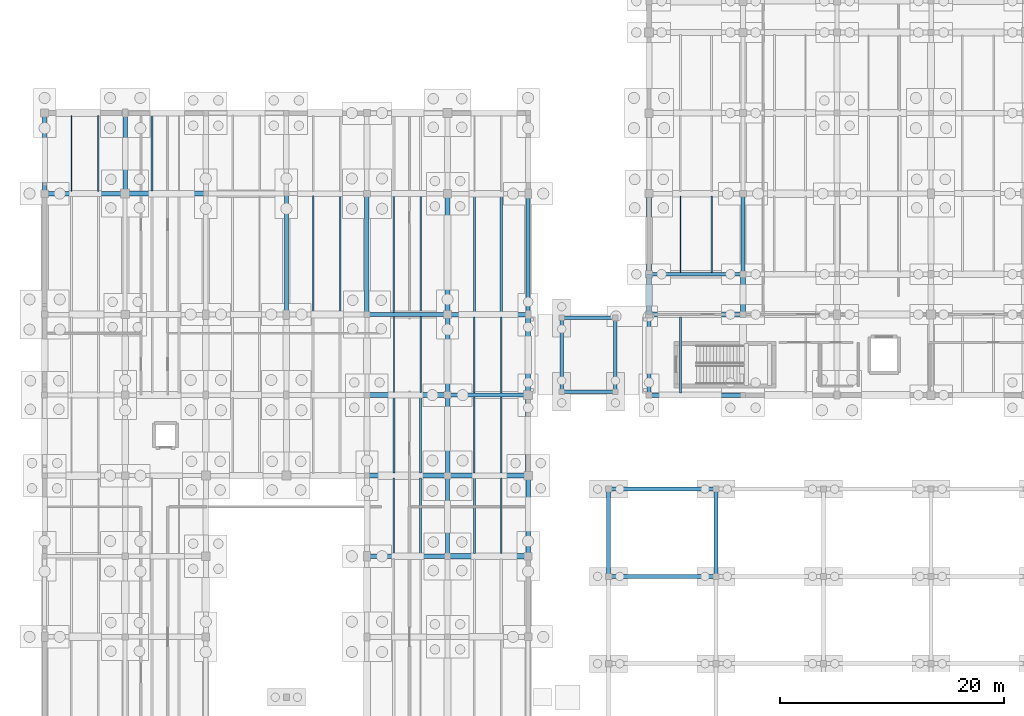
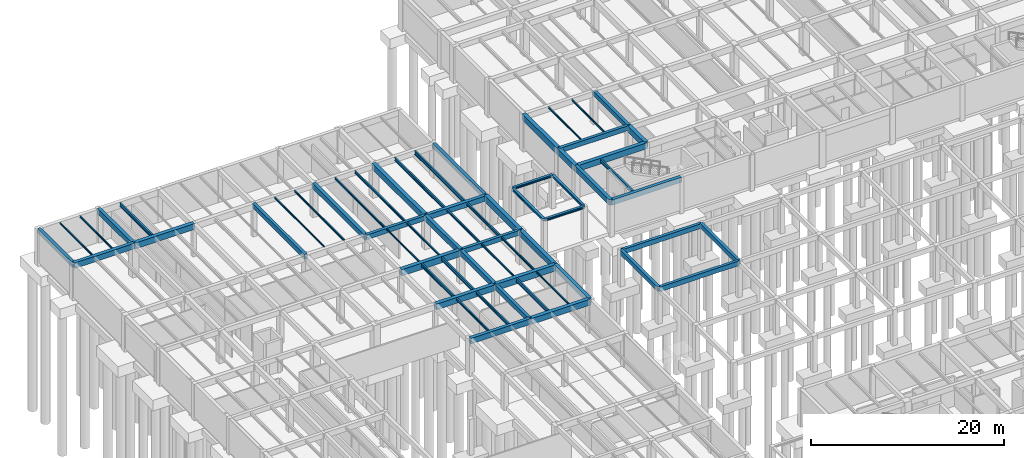
# One storey, part 29 of 63: 62 beams.
"""IFC4 building model written with IfcOpenShell, lengths in metres."""

from ifc_helpers import new_model, si_unit, direction, frame, origin, origin_2d, place, context, subcontext, project, spatial, rectangle, i_section, extrude, material, material_profile, profile_set, type_object, element, save


model = new_model("IFC4")

# Units and contexts
model_context = context("Model", 3, precision=1e-05, world=origin(), true_north=direction((0.0, 1.0)))
body_context = subcontext(model_context, "Body", "Model", "MODEL_VIEW")
ifc_project = project(units=[si_unit("LENGTHUNIT", "METRE"), si_unit("AREAUNIT", "SQUARE_METRE"), si_unit("VOLUMEUNIT", "CUBIC_METRE"), si_unit("PLANEANGLEUNIT", "RADIAN"), si_unit("MASSUNIT", "GRAM", prefix="KILO")], contexts=[model_context])

# Site, building, storey
site_placement = place(None, origin())
site = spatial("IfcSite", under=ifc_project, at=site_placement, CompositionType="ELEMENT")
building_placement = place(site_placement, origin())
building = spatial("IfcBuilding", under=site, at=building_placement, Name="Mazaris Harbour Polytechnic", CompositionType="ELEMENT")
storey_placement = place(building_placement, frame((0.0, 0.0, -4.5)))
storey = spatial("IfcBuildingStorey", under=building, at=storey_placement, Name="B1", CompositionType="ELEMENT", Elevation=-4.5)

# Beams
ifc_material_1 = material(Name="Concrete C35/45", Category="concrete")
ifc_material_profile_1 = material_profile(ifc_material_1, rectangle(XDim=0.35009765625, YDim=0.60009765625, at=origin_2d()), Name="RECT350x600")
ifc_profile_set_1 = profile_set([ifc_material_profile_1], Name="Concrete C35/45")
beam_type_1 = type_object("IfcBeamType", Name="RC Girder 350x600", PredefinedType="BEAM", material=ifc_profile_set_1)
beam_1_placement = place(storey_placement, frame((54.0, 86.39990234375, 3.85009765625), z_axis=(1.0, 0.0, 0.0), x_axis=(0.0, 1.0, 0.0)))
element("IfcBeam", 1, at=beam_1_placement, inside=storey, type_object=beam_type_1, Name="V1 B1 Girder 15", PredefinedType="BEAM", context=body_context, shape_type="SweptSolid", body=[
    extrude(rectangle(XDim=0.35009765625, YDim=0.60009765625, at=origin_2d()), origin(), (0.0, 0.0, 1.0), 8.39990234375),
])
beam_2_placement = place(storey_placement, frame((62.39990234375, 86.39990234375, 3.85009765625), z_axis=(0.0, 1.0, 0.0), x_axis=(-1.0, 0.0, 0.0)))
element("IfcBeam", 2, at=beam_2_placement, inside=storey, type_object=beam_type_1, Name="V1 B1 Tie Girder 65", PredefinedType="BEAM", context=body_context, shape_type="SweptSolid", body=[
    extrude(rectangle(XDim=0.35009765625, YDim=0.60009765625, at=origin_2d()), origin(), (0.0, 0.0, 1.0), 7.2001953125),
])
for number, where, z_axis, x_axis, name in (
    (3, (36.0, 75.60009765625, 3.8798828125), (1.0, 0.0, 0.0), (0.0, 1.0, 0.0), "V4 B1 Girder 1135"),
    (4, (28.800048828125, 82.800048828125, 3.8798828125), (1.0, 0.0, 0.0), (0.0, 1.0, 0.0), "V4 B1 Girder 1140"),
):
    element("IfcBeam", number, at=place(storey_placement, frame(where, z_axis=z_axis, x_axis=x_axis)), inside=storey, type_object=beam_type_1, Name=name, PredefinedType="BEAM", context=body_context, shape_type="SweptSolid", body=[
        extrude(rectangle(XDim=0.35009765625, YDim=0.60009765625, at=origin_2d()), origin(), (0.0, 0.0, 1.0), 7.199951171875),
    ])
beam_3_placement = place(storey_placement, frame((21.60009765625, 82.800048828125, 3.8798828125), z_axis=(0.0, 1.0, 0.0), x_axis=(-1.0, 0.0, 0.0)))
element("IfcBeam", 5, at=beam_3_placement, inside=storey, type_object=beam_type_1, Name="V4 B1 Tie Girder 1195", PredefinedType="BEAM", context=body_context, shape_type="SweptSolid", body=[
    extrude(rectangle(XDim=0.35009765625, YDim=0.60009765625, at=origin_2d()), origin(), (0.0, 0.0, 1.0), 10.800048828125),
])
beam_4_placement = place(storey_placement, frame((36.0, 61.199951171875, 3.8798828125), z_axis=(0.0, 1.0, 0.0), x_axis=(-1.0, 0.0, 0.0)))
element("IfcBeam", 6, at=beam_4_placement, inside=storey, type_object=beam_type_1, Name="V4 B1 Tie Girder 1215", PredefinedType="BEAM", context=body_context, shape_type="SweptSolid", body=[
    extrude(rectangle(XDim=0.35009765625, YDim=0.60009765625, at=origin_2d()), origin(), (0.0, 0.0, 1.0), 7.199951171875),
])
for number, where, z_axis, x_axis, name in (
    (7, (50.39990234375, 59.39990234375, 3.89990234375), (1.0, 0.0, 0.0), (0.0, 1.0, 0.0), "Courtyard Deck Girder X-3517"),
    (8, (50.39990234375, 67.199951171875, 3.89990234375), (1.0, 0.0, 0.0), (0.0, 1.0, 0.0), "Courtyard Deck Girder X-3524"),
):
    element("IfcBeam", number, at=place(storey_placement, frame(where, z_axis=z_axis, x_axis=x_axis)), inside=storey, type_object=beam_type_1, Name=name, PredefinedType="BEAM", context=body_context, shape_type="SweptSolid", body=[
        extrude(rectangle(XDim=0.35009765625, YDim=0.60009765625, at=origin_2d()), origin(), (0.0, 0.0, 1.0), 9.60009765625),
    ])
for number, where, z_axis, x_axis, name in (
    (9, (50.39990234375, 59.39990234375, 3.89990234375), (0.0, 1.0, 0.0), (-1.0, 0.0, 0.0), "Courtyard Deck Girder Y-3533"),
    (10, (60.0, 59.39990234375, 3.89990234375), (0.0, 1.0, 0.0), (-1.0, 0.0, 0.0), "Courtyard Deck Girder Y-3536"),
):
    element("IfcBeam", number, at=place(storey_placement, frame(where, z_axis=z_axis, x_axis=x_axis)), inside=storey, type_object=beam_type_1, Name=name, PredefinedType="BEAM", context=body_context, shape_type="SweptSolid", body=[
        extrude(rectangle(XDim=0.35009765625, YDim=0.60009765625, at=origin_2d()), origin(), (0.0, 0.0, 1.0), 7.800048828125),
    ])
ifc_material_2 = material(Name="Concrete C35/45", Category="concrete")
ifc_material_profile_2 = material_profile(ifc_material_2, rectangle(XDim=0.35009765625, YDim=0.60009765625, at=origin_2d()), Name="RECT350x600")
ifc_profile_set_2 = profile_set([ifc_material_profile_2], Name="Concrete C35/45")
beam_type_2 = type_object("IfcBeamType", Name="RC Girder 350x600 Exterior", PredefinedType="BEAM", material=ifc_profile_set_2)
beam_5_placement = place(storey_placement, frame((0.0, 93.60009765625, 3.8798828125), z_axis=(0.0, 1.0, 0.0), x_axis=(-1.0, 0.0, 0.0)))
element("IfcBeam", 11, at=beam_5_placement, inside=storey, type_object=beam_type_2, Name="V4 B1 Tie Girder 1165", PredefinedType="BEAM", context=body_context, shape_type="SweptSolid", body=[
    extrude(rectangle(XDim=0.35009765625, YDim=0.60009765625, at=origin_2d()), origin(), (0.0, 0.0, 1.0), 7.199951171875),
])
beam_6_placement = place(storey_placement, frame((43.199951171875, 82.800048828125, 3.8798828125), z_axis=(0.0, 1.0, 0.0), x_axis=(-1.0, 0.0, 0.0)))
element("IfcBeam", 12, at=beam_6_placement, inside=storey, type_object=beam_type_2, Name="V4 B1 Tie Girder 1230", PredefinedType="BEAM", context=body_context, shape_type="SweptSolid", body=[
    extrude(rectangle(XDim=0.35009765625, YDim=0.60009765625, at=origin_2d()), origin(), (0.0, 0.0, 1.0), 10.800048828125),
])
ifc_material_3 = material(Name="Concrete C35/45", Category="concrete")
ifc_material_profile_3 = material_profile(ifc_material_3, rectangle(XDim=0.39990234375, YDim=0.64990234375, at=origin_2d()), Name="RECT400x650")
ifc_profile_set_3 = profile_set([ifc_material_profile_3], Name="Concrete C35/45")
beam_type_3 = type_object("IfcBeamType", Name="RC Girder 400x650", PredefinedType="BEAM", material=ifc_profile_set_3)
for number, where, z_axis, x_axis, name in (
    (13, (36.0, 82.800048828125, 3.85498046875), (1.0, 0.0, 0.0), (0.0, 1.0, 0.0), "V4 B1 Girder 1141"),
    (14, (7.199951171875, 93.60009765625, 3.85498046875), (0.0, 1.0, 0.0), (-1.0, 0.0, 0.0), "V4 B1 Tie Girder 1176"),
):
    element("IfcBeam", number, at=place(storey_placement, frame(where, z_axis=z_axis, x_axis=x_axis)), inside=storey, type_object=beam_type_3, Name=name, PredefinedType="BEAM", context=body_context, shape_type="SweptSolid", body=[
        extrude(rectangle(XDim=0.39990234375, YDim=0.64990234375, at=origin_2d()), origin(), (0.0, 0.0, 1.0), 7.199951171875),
    ])
beam_7_placement = place(storey_placement, frame((28.800048828125, 82.800048828125, 3.85498046875), z_axis=(0.0, 1.0, 0.0), x_axis=(-1.0, 0.0, 0.0)))
element("IfcBeam", 15, at=beam_7_placement, inside=storey, type_object=beam_type_3, Name="V4 B1 Tie Girder 1206", PredefinedType="BEAM", context=body_context, shape_type="SweptSolid", body=[
    extrude(rectangle(XDim=0.39990234375, YDim=0.64990234375, at=origin_2d()), origin(), (0.0, 0.0, 1.0), 10.800048828125),
])
beam_8_placement = place(storey_placement, frame((36.0, 68.39990234375, 3.85498046875), z_axis=(0.0, 1.0, 0.0), x_axis=(-1.0, 0.0, 0.0)))
element("IfcBeam", 16, at=beam_8_placement, inside=storey, type_object=beam_type_3, Name="V4 B1 Tie Girder 1216", PredefinedType="BEAM", context=body_context, shape_type="SweptSolid", body=[
    extrude(rectangle(XDim=0.39990234375, YDim=0.64990234375, at=origin_2d()), origin(), (0.0, 0.0, 1.0), 7.2001953125),
])
ifc_material_4 = material(Name="Concrete C35/45", Category="concrete")
ifc_material_profile_4 = material_profile(ifc_material_4, rectangle(XDim=0.39990234375, YDim=0.64990234375, at=origin_2d()), Name="RECT400x650")
ifc_profile_set_4 = profile_set([ifc_material_profile_4], Name="Concrete C35/45")
beam_type_4 = type_object("IfcBeamType", Name="RC Girder 400x650 Exterior", PredefinedType="BEAM", material=ifc_profile_set_4)
beam_9_placement = place(storey_placement, frame((54.0, 75.60009765625, 3.824951171875), z_axis=(1.0, 0.0, 0.0), x_axis=(0.0, 1.0, 0.0)))
element("IfcBeam", 17, at=beam_9_placement, inside=storey, type_object=beam_type_4, Name="V1 B1 Girder 1", PredefinedType="BEAM", context=body_context, shape_type="SweptSolid", body=[
    extrude(rectangle(XDim=0.39990234375, YDim=0.64990234375, at=origin_2d()), origin(), (0.0, 0.0, 1.0), 8.39990234375),
])
ifc_material_5 = material(Name="Concrete C35/45", Category="concrete")
ifc_material_profile_5 = material_profile(ifc_material_5, rectangle(XDim=0.39990234375, YDim=0.699951171875, at=origin_2d()), Name="RECT400x700")
ifc_profile_set_5 = profile_set([ifc_material_profile_5], Name="Concrete C35/45")
beam_type_5 = type_object("IfcBeamType", Name="RC Girder 400x700", PredefinedType="BEAM", material=ifc_profile_set_5)
for number, where, z_axis, x_axis, name in (
    (18, (28.800048828125, 61.199951171875, 3.830078125), (1.0, 0.0, 0.0), (0.0, 1.0, 0.0), "V4 B1 Girder 1122"),
    (19, (0.0, 93.60009765625, 3.830078125), (1.0, 0.0, 0.0), (0.0, 1.0, 0.0), "V4 B1 Girder 1142"),
    (20, (36.0, 75.60009765625, 3.830078125), (0.0, 1.0, 0.0), (-1.0, 0.0, 0.0), "V4 B1 Tie Girder 1217"),
):
    element("IfcBeam", number, at=place(storey_placement, frame(where, z_axis=z_axis, x_axis=x_axis)), inside=storey, type_object=beam_type_5, Name=name, PredefinedType="BEAM", context=body_context, shape_type="SweptSolid", body=[
        extrude(rectangle(XDim=0.39990234375, YDim=0.699951171875, at=origin_2d()), origin(), (0.0, 0.0, 1.0), 7.199951171875),
    ])
ifc_material_6 = material(Name="Concrete C35/45", Category="concrete")
ifc_material_profile_6 = material_profile(ifc_material_6, rectangle(XDim=0.39990234375, YDim=0.699951171875, at=origin_2d()), Name="RECT400x700")
ifc_profile_set_6 = profile_set([ifc_material_profile_6], Name="Concrete C35/45")
beam_type_6 = type_object("IfcBeamType", Name="RC Girder 400x700 Exterior", PredefinedType="BEAM", material=ifc_profile_set_6)
for number, where, z_axis, x_axis, name in (
    (21, (54.0, 75.60009765625, 3.800048828125), (0.0, 1.0, 0.0), (-1.0, 0.0, 0.0), "V1 B1 Tie Girder 57"),
    (22, (43.199951171875, 61.199951171875, 3.830078125), (0.0, 1.0, 0.0), (-1.0, 0.0, 0.0), "V4 B1 Tie Girder 1227"),
):
    element("IfcBeam", number, at=place(storey_placement, frame(where, z_axis=z_axis, x_axis=x_axis)), inside=storey, type_object=beam_type_6, Name=name, PredefinedType="BEAM", context=body_context, shape_type="SweptSolid", body=[
        extrude(rectangle(XDim=0.39990234375, YDim=0.699951171875, at=origin_2d()), origin(), (0.0, 0.0, 1.0), 7.199951171875),
    ])
ifc_material_7 = material(Name="Concrete C40/50", Category="concrete")
ifc_material_profile_7 = material_profile(ifc_material_7, rectangle(XDim=0.449951171875, YDim=0.75, at=origin_2d()), Name="RECT450x750")
ifc_profile_set_7 = profile_set([ifc_material_profile_7], Name="Concrete C40/50")
beam_type_7 = type_object("IfcBeamType", Name="RC Girder 450x750", PredefinedType="BEAM", material=ifc_profile_set_7)
beam_10_placement = place(storey_placement, frame((54.0, 82.800048828125, 3.77490234375), z_axis=(1.0, 0.0, 0.0), x_axis=(0.0, 1.0, 0.0)))
element("IfcBeam", 23, at=beam_10_placement, inside=storey, type_object=beam_type_7, Name="V1 B1 Girder 8", PredefinedType="BEAM", context=body_context, shape_type="SweptSolid", body=[
    extrude(rectangle(XDim=0.449951171875, YDim=0.75, at=origin_2d()), origin(), (0.0, 0.0, 1.0), 8.39990234375),
])
for number, where, z_axis, x_axis, name in (
    (24, (36.0, 61.199951171875, 3.804931640625), (1.0, 0.0, 0.0), (0.0, 1.0, 0.0), "V4 B1 Girder 1123"),
    (25, (28.800048828125, 68.39990234375, 3.804931640625), (1.0, 0.0, 0.0), (0.0, 1.0, 0.0), "V4 B1 Girder 1128"),
    (26, (7.199951171875, 93.60009765625, 3.804931640625), (1.0, 0.0, 0.0), (0.0, 1.0, 0.0), "V4 B1 Girder 1143"),
):
    element("IfcBeam", number, at=place(storey_placement, frame(where, z_axis=z_axis, x_axis=x_axis)), inside=storey, type_object=beam_type_7, Name=name, PredefinedType="BEAM", context=body_context, shape_type="SweptSolid", body=[
        extrude(rectangle(XDim=0.449951171875, YDim=0.75, at=origin_2d()), origin(), (0.0, 0.0, 1.0), 7.199951171875),
    ])
beam_11_placement = place(storey_placement, frame((36.0, 82.800048828125, 3.804931640625), z_axis=(0.0, 1.0, 0.0), x_axis=(-1.0, 0.0, 0.0)))
element("IfcBeam", 27, at=beam_11_placement, inside=storey, type_object=beam_type_7, Name="V4 B1 Tie Girder 1218", PredefinedType="BEAM", context=body_context, shape_type="SweptSolid", body=[
    extrude(rectangle(XDim=0.449951171875, YDim=0.75, at=origin_2d()), origin(), (0.0, 0.0, 1.0), 10.800048828125),
])
ifc_material_8 = material(Name="Concrete C40/50", Category="concrete")
ifc_material_profile_8 = material_profile(ifc_material_8, rectangle(XDim=0.449951171875, YDim=0.75, at=origin_2d()), Name="RECT450x750")
ifc_profile_set_8 = profile_set([ifc_material_profile_8], Name="Concrete C40/50")
beam_type_8 = type_object("IfcBeamType", Name="RC Girder 450x750 Exterior", PredefinedType="BEAM", material=ifc_profile_set_8)
beam_12_placement = place(storey_placement, frame((54.0, 82.800048828125, 3.77490234375), z_axis=(0.0, 1.0, 0.0), x_axis=(-1.0, 0.0, 0.0)))
element("IfcBeam", 28, at=beam_12_placement, inside=storey, type_object=beam_type_8, Name="V1 B1 Tie Girder 58", PredefinedType="BEAM", context=body_context, shape_type="SweptSolid", body=[
    extrude(rectangle(XDim=0.449951171875, YDim=0.75, at=origin_2d()), origin(), (0.0, 0.0, 1.0), 3.599853515625),
])
beam_13_placement = place(storey_placement, frame((43.199951171875, 68.39990234375, 3.804931640625), z_axis=(0.0, 1.0, 0.0), x_axis=(-1.0, 0.0, 0.0)))
element("IfcBeam", 29, at=beam_13_placement, inside=storey, type_object=beam_type_8, Name="V4 B1 Tie Girder 1228", PredefinedType="BEAM", context=body_context, shape_type="SweptSolid", body=[
    extrude(rectangle(XDim=0.449951171875, YDim=0.75, at=origin_2d()), origin(), (0.0, 0.0, 1.0), 7.2001953125),
])
ifc_material_9 = material(Name="Concrete C40/50", Category="concrete")
ifc_material_profile_9 = material_profile(ifc_material_9, rectangle(XDim=0.449951171875, YDim=0.800048828125, at=origin_2d()), Name="RECT450x800")
ifc_profile_set_9 = profile_set([ifc_material_profile_9], Name="Concrete C40/50")
beam_type_9 = type_object("IfcBeamType", Name="RC Girder 450x800", PredefinedType="BEAM", material=ifc_profile_set_9)
beam_14_placement = place(storey_placement, frame((62.39990234375, 82.800048828125, 3.75), z_axis=(0.0, 1.0, 0.0), x_axis=(-1.0, 0.0, 0.0)))
element("IfcBeam", 30, at=beam_14_placement, inside=storey, type_object=beam_type_9, Name="V1 B1 Tie Girder 64", PredefinedType="BEAM", context=body_context, shape_type="SweptSolid", body=[
    extrude(rectangle(XDim=0.449951171875, YDim=0.800048828125, at=origin_2d()), origin(), (0.0, 0.0, 1.0), 3.599853515625),
])
for number, where, z_axis, x_axis, name in (
    (31, (36.0, 68.39990234375, 3.780029296875), (1.0, 0.0, 0.0), (0.0, 1.0, 0.0), "V4 B1 Girder 1129"),
    (32, (28.800048828125, 75.60009765625, 3.780029296875), (1.0, 0.0, 0.0), (0.0, 1.0, 0.0), "V4 B1 Girder 1134"),
):
    element("IfcBeam", number, at=place(storey_placement, frame(where, z_axis=z_axis, x_axis=x_axis)), inside=storey, type_object=beam_type_9, Name=name, PredefinedType="BEAM", context=body_context, shape_type="SweptSolid", body=[
        extrude(rectangle(XDim=0.449951171875, YDim=0.800048828125, at=origin_2d()), origin(), (0.0, 0.0, 1.0), 7.199951171875),
    ])
ifc_material_10 = material(Name="Concrete C40/50", Category="concrete")
ifc_material_profile_10 = material_profile(ifc_material_10, rectangle(XDim=0.449951171875, YDim=0.800048828125, at=origin_2d()), Name="RECT450x800")
ifc_profile_set_10 = profile_set([ifc_material_profile_10], Name="Concrete C40/50")
beam_type_10 = type_object("IfcBeamType", Name="RC Girder 450x800 Exterior", PredefinedType="BEAM", material=ifc_profile_set_10)
beam_15_placement = place(storey_placement, frame((54.0, 86.39990234375, 3.75), z_axis=(0.0, 1.0, 0.0), x_axis=(-1.0, 0.0, 0.0)))
element("IfcBeam", 33, at=beam_15_placement, inside=storey, type_object=beam_type_10, Name="V1 B1 Tie Girder 59", PredefinedType="BEAM", context=body_context, shape_type="SweptSolid", body=[
    extrude(rectangle(XDim=0.449951171875, YDim=0.800048828125, at=origin_2d()), origin(), (0.0, 0.0, 1.0), 7.2001953125),
])
beam_16_placement = place(storey_placement, frame((43.199951171875, 75.60009765625, 3.780029296875), z_axis=(0.0, 1.0, 0.0), x_axis=(-1.0, 0.0, 0.0)))
element("IfcBeam", 34, at=beam_16_placement, inside=storey, type_object=beam_type_10, Name="V4 B1 Tie Girder 1229", PredefinedType="BEAM", context=body_context, shape_type="SweptSolid", body=[
    extrude(rectangle(XDim=0.449951171875, YDim=0.800048828125, at=origin_2d()), origin(), (0.0, 0.0, 1.0), 7.199951171875),
])
ifc_material_11 = material(Name="Steel S355", Category="steel")
ifc_material_profile_11 = material_profile(ifc_material_11, i_section(OverallWidth=0.300048828125, OverallDepth=0.2900390625, WebThickness=0.008544921875, FlangeThickness=0.013916015625, FilletRadius=0.027099609375, at=origin_2d()), Name="HEA 300")
ifc_profile_set_11 = profile_set([ifc_material_profile_11], Name="Steel S355")
beam_type_11 = type_object("IfcBeamType", Name="Steel Beam HEA300 Exterior", PredefinedType="SPANDREL", material=ifc_profile_set_11)
beam_17_placement = place(storey_placement, frame((46.199951171875, 75.89990234375, 4.090087890625), z_axis=(1.0, 0.0, 0.0), x_axis=(0.0, 1.0, 0.0)))
element("IfcBeam", 35, at=beam_17_placement, inside=storey, type_object=beam_type_11, Name="PB-W2 B1 Bridge Beam 3419", PredefinedType="SPANDREL", context=body_context, shape_type="SweptSolid", body=[
    extrude(i_section(OverallWidth=0.300048828125, OverallDepth=0.2900390625, WebThickness=0.008544921875, FlangeThickness=0.013916015625, FilletRadius=0.027099609375, at=origin_2d()), origin(), (0.0, 0.0, 1.0), 4.800048828125),
])
for number, where, z_axis, x_axis, name in (
    (36, (46.199951171875, 75.89990234375, 4.090087890625), (0.0, 1.0, 0.0), (-1.0, 0.0, 0.0), "PB-W2 B1 Bridge Beam 3420"),
    (37, (51.0, 75.89990234375, 4.090087890625), (0.0, 1.0, 0.0), (-1.0, 0.0, 0.0), "PB-W2 B1 Bridge Beam 3421"),
):
    element("IfcBeam", number, at=place(storey_placement, frame(where, z_axis=z_axis, x_axis=x_axis)), inside=storey, type_object=beam_type_11, Name=name, PredefinedType="SPANDREL", context=body_context, shape_type="SweptSolid", body=[
        extrude(i_section(OverallWidth=0.300048828125, OverallDepth=0.2900390625, WebThickness=0.008544921875, FlangeThickness=0.013916015625, FilletRadius=0.027099609375, at=origin_2d()), origin(), (0.0, 0.0, 1.0), 6.60009765625),
    ])
beam_18_placement = place(storey_placement, frame((46.199951171875, 82.5, 4.090087890625), z_axis=(1.0, 0.0, 0.0), x_axis=(0.0, 1.0, 0.0)))
element("IfcBeam", 38, at=beam_18_placement, inside=storey, type_object=beam_type_11, Name="PB-W2 B1 Bridge Beam 3422", PredefinedType="SPANDREL", context=body_context, shape_type="SweptSolid", body=[
    extrude(i_section(OverallWidth=0.300048828125, OverallDepth=0.2900390625, WebThickness=0.008544921875, FlangeThickness=0.013916015625, FilletRadius=0.027099609375, at=origin_2d()), origin(), (0.0, 0.0, 1.0), 4.800048828125),
])
ifc_material_12 = material(Name="Steel S355", Category="steel")
ifc_material_profile_12 = material_profile(ifc_material_12, i_section(OverallWidth=0.10009765625, OverallDepth=0.199951171875, WebThickness=0.005615234375, FlangeThickness=0.008544921875, FilletRadius=0.011962890625, at=origin_2d()), Name="IPE 200")
ifc_profile_set_12 = profile_set([ifc_material_profile_12], Name="Steel S355")
beam_type_12 = type_object("IfcBeamType", Name="Steel Joist IPE200", PredefinedType="JOIST", material=ifc_profile_set_12)
beam_19_placement = place(storey_placement, frame((56.800048828125, 86.574951171875, 4.050048828125), z_axis=(0.0, 1.0, 0.0), x_axis=(-1.0, 0.0, 0.0)))
element("IfcBeam", 39, at=beam_19_placement, inside=storey, type_object=beam_type_12, Name="V1 B1 Floor Joist 112", PredefinedType="JOIST", context=body_context, shape_type="SweptSolid", body=[
    extrude(i_section(OverallWidth=0.10009765625, OverallDepth=0.199951171875, WebThickness=0.005615234375, FlangeThickness=0.008544921875, FilletRadius=0.011962890625, at=origin_2d()), origin(), (0.0, 0.0, 1.0), 6.824951171875),
])
beam_20_placement = place(storey_placement, frame((2.39990234375, 93.800048828125, 4.080078125), z_axis=(0.0, 1.0, 0.0), x_axis=(-1.0, 0.0, 0.0)))
element("IfcBeam", 40, at=beam_20_placement, inside=storey, type_object=beam_type_12, Name="V4 B1 Floor Joist 1253", PredefinedType="JOIST", context=body_context, shape_type="SweptSolid", body=[
    extrude(i_section(OverallWidth=0.10009765625, OverallDepth=0.199951171875, WebThickness=0.005615234375, FlangeThickness=0.008544921875, FilletRadius=0.011962890625, at=origin_2d()), origin(), (0.0, 0.0, 1.0), 6.77490234375),
])
beam_21_placement = place(storey_placement, frame((24.0, 83.02490234375, 4.080078125), z_axis=(0.0, 1.0, 0.0), x_axis=(-1.0, 0.0, 0.0)))
element("IfcBeam", 41, at=beam_21_placement, inside=storey, type_object=beam_type_12, Name="V4 B1 Floor Joist 1302", PredefinedType="JOIST", context=body_context, shape_type="SweptSolid", body=[
    extrude(i_section(OverallWidth=0.10009765625, OverallDepth=0.199951171875, WebThickness=0.005615234375, FlangeThickness=0.008544921875, FilletRadius=0.011962890625, at=origin_2d()), origin(), (0.0, 0.0, 1.0), 10.400146484375),
])
beam_22_placement = place(storey_placement, frame((31.199951171875, 75.824951171875, 4.080078125), z_axis=(0.0, 1.0, 0.0), x_axis=(-1.0, 0.0, 0.0)))
element("IfcBeam", 42, at=beam_22_placement, inside=storey, type_object=beam_type_12, Name="V4 B1 Floor Joist 1323", PredefinedType="JOIST", context=body_context, shape_type="SweptSolid", body=[
    extrude(i_section(OverallWidth=0.10009765625, OverallDepth=0.199951171875, WebThickness=0.005615234375, FlangeThickness=0.008544921875, FilletRadius=0.011962890625, at=origin_2d()), origin(), (0.0, 0.0, 1.0), 6.800048828125),
])
beam_23_placement = place(storey_placement, frame((40.800048828125, 61.425048828125, 4.080078125), z_axis=(0.0, 1.0, 0.0), x_axis=(-1.0, 0.0, 0.0)))
element("IfcBeam", 43, at=beam_23_placement, inside=storey, type_object=beam_type_12, Name="V4 B1 Floor Joist 1344", PredefinedType="JOIST", context=body_context, shape_type="SweptSolid", body=[
    extrude(i_section(OverallWidth=0.10009765625, OverallDepth=0.199951171875, WebThickness=0.005615234375, FlangeThickness=0.008544921875, FilletRadius=0.011962890625, at=origin_2d()), origin(), (0.0, 0.0, 1.0), 6.75),
])
ifc_material_13 = material(Name="Steel S355", Category="steel")
ifc_material_profile_13 = material_profile(ifc_material_13, i_section(OverallWidth=0.1201171875, OverallDepth=0.239990234375, WebThickness=0.006103515625, FlangeThickness=0.009765625, FilletRadius=0.014892578125, at=origin_2d()), Name="IPE 240")
ifc_profile_set_13 = profile_set([ifc_material_profile_13], Name="Steel S355")
beam_type_13 = type_object("IfcBeamType", Name="Steel Joist IPE240", PredefinedType="JOIST", material=ifc_profile_set_13)
beam_24_placement = place(storey_placement, frame((59.60009765625, 86.574951171875, 4.030029296875), z_axis=(0.0, 1.0, 0.0), x_axis=(-1.0, 0.0, 0.0)))
element("IfcBeam", 44, at=beam_24_placement, inside=storey, type_object=beam_type_13, Name="V1 B1 Floor Joist 113", PredefinedType="JOIST", context=body_context, shape_type="SweptSolid", body=[
    extrude(i_section(OverallWidth=0.1201171875, OverallDepth=0.239990234375, WebThickness=0.006103515625, FlangeThickness=0.009765625, FilletRadius=0.014892578125, at=origin_2d()), origin(), (0.0, 0.0, 1.0), 6.824951171875),
])
beam_25_placement = place(storey_placement, frame((4.800048828125, 93.800048828125, 4.06005859375), z_axis=(0.0, 1.0, 0.0), x_axis=(-1.0, 0.0, 0.0)))
element("IfcBeam", 45, at=beam_25_placement, inside=storey, type_object=beam_type_13, Name="V4 B1 Floor Joist 1254", PredefinedType="JOIST", context=body_context, shape_type="SweptSolid", body=[
    extrude(i_section(OverallWidth=0.1201171875, OverallDepth=0.239990234375, WebThickness=0.006103515625, FlangeThickness=0.009765625, FilletRadius=0.014892578125, at=origin_2d()), origin(), (0.0, 0.0, 1.0), 6.77490234375),
])
beam_26_placement = place(storey_placement, frame((26.39990234375, 83.02490234375, 4.06005859375), z_axis=(0.0, 1.0, 0.0), x_axis=(-1.0, 0.0, 0.0)))
element("IfcBeam", 46, at=beam_26_placement, inside=storey, type_object=beam_type_13, Name="V4 B1 Floor Joist 1303", PredefinedType="JOIST", context=body_context, shape_type="SweptSolid", body=[
    extrude(i_section(OverallWidth=0.1201171875, OverallDepth=0.239990234375, WebThickness=0.006103515625, FlangeThickness=0.009765625, FilletRadius=0.014892578125, at=origin_2d()), origin(), (0.0, 0.0, 1.0), 10.400146484375),
])
for number, where, z_axis, x_axis, name in (
    (47, (33.60009765625, 75.824951171875, 4.06005859375), (0.0, 1.0, 0.0), (-1.0, 0.0, 0.0), "V4 B1 Floor Joist 1324"),
    (48, (38.39990234375, 68.625, 4.06005859375), (0.0, 1.0, 0.0), (-1.0, 0.0, 0.0), "V4 B1 Floor Joist 1345"),
):
    element("IfcBeam", number, at=place(storey_placement, frame(where, z_axis=z_axis, x_axis=x_axis)), inside=storey, type_object=beam_type_13, Name=name, PredefinedType="JOIST", context=body_context, shape_type="SweptSolid", body=[
        extrude(i_section(OverallWidth=0.1201171875, OverallDepth=0.239990234375, WebThickness=0.006103515625, FlangeThickness=0.009765625, FilletRadius=0.014892578125, at=origin_2d()), origin(), (0.0, 0.0, 1.0), 6.800048828125),
    ])
ifc_material_14 = material(Name="Steel S355", Category="steel")
ifc_material_profile_14 = material_profile(ifc_material_14, i_section(OverallWidth=0.135009765625, OverallDepth=0.27001953125, WebThickness=0.006591796875, FlangeThickness=0.01025390625, FilletRadius=0.014892578125, at=origin_2d()), Name="IPE 270")
ifc_profile_set_14 = profile_set([ifc_material_profile_14], Name="Steel S355")
beam_type_14 = type_object("IfcBeamType", Name="Steel Joist IPE270", PredefinedType="JOIST", material=ifc_profile_set_14)
beam_27_placement = place(storey_placement, frame((31.199951171875, 82.97509765625, 4.044921875), z_axis=(0.0, 1.0, 0.0), x_axis=(-1.0, 0.0, 0.0)))
element("IfcBeam", 49, at=beam_27_placement, inside=storey, type_object=beam_type_14, Name="V4 B1 Floor Joist 1325", PredefinedType="JOIST", context=body_context, shape_type="SweptSolid", body=[
    extrude(i_section(OverallWidth=0.135009765625, OverallDepth=0.27001953125, WebThickness=0.006591796875, FlangeThickness=0.01025390625, FilletRadius=0.014892578125, at=origin_2d()), origin(), (0.0, 0.0, 1.0), 10.4248046875),
])
beam_28_placement = place(storey_placement, frame((40.800048828125, 68.625, 4.044921875), z_axis=(0.0, 1.0, 0.0), x_axis=(-1.0, 0.0, 0.0)))
element("IfcBeam", 50, at=beam_28_placement, inside=storey, type_object=beam_type_14, Name="V4 B1 Floor Joist 1346", PredefinedType="JOIST", context=body_context, shape_type="SweptSolid", body=[
    extrude(i_section(OverallWidth=0.135009765625, OverallDepth=0.27001953125, WebThickness=0.006591796875, FlangeThickness=0.01025390625, FilletRadius=0.014892578125, at=origin_2d()), origin(), (0.0, 0.0, 1.0), 6.800048828125),
])
ifc_material_15 = material(Name="Steel S355", Category="steel")
ifc_material_profile_15 = material_profile(ifc_material_15, i_section(OverallWidth=0.14990234375, OverallDepth=0.300048828125, WebThickness=0.007080078125, FlangeThickness=0.0107421875, FilletRadius=0.014892578125, at=origin_2d()), Name="IPE 300")
ifc_profile_set_15 = profile_set([ifc_material_profile_15], Name="Steel S355")
beam_type_15 = type_object("IfcBeamType", Name="Steel Joist IPE300", PredefinedType="JOIST", material=ifc_profile_set_15)
beam_29_placement = place(storey_placement, frame((31.199951171875, 61.39990234375, 4.030029296875), z_axis=(0.0, 1.0, 0.0), x_axis=(-1.0, 0.0, 0.0)))
element("IfcBeam", 51, at=beam_29_placement, inside=storey, type_object=beam_type_15, Name="V4 B1 Floor Joist 1319", PredefinedType="JOIST", context=body_context, shape_type="SweptSolid", body=[
    extrude(i_section(OverallWidth=0.14990234375, OverallDepth=0.300048828125, WebThickness=0.007080078125, FlangeThickness=0.0107421875, FilletRadius=0.014892578125, at=origin_2d()), origin(), (0.0, 0.0, 1.0), 6.775146484375),
])
beam_30_placement = place(storey_placement, frame((33.60009765625, 82.97509765625, 4.030029296875), z_axis=(0.0, 1.0, 0.0), x_axis=(-1.0, 0.0, 0.0)))
element("IfcBeam", 52, at=beam_30_placement, inside=storey, type_object=beam_type_15, Name="V4 B1 Floor Joist 1326", PredefinedType="JOIST", context=body_context, shape_type="SweptSolid", body=[
    extrude(i_section(OverallWidth=0.14990234375, OverallDepth=0.300048828125, WebThickness=0.007080078125, FlangeThickness=0.0107421875, FilletRadius=0.014892578125, at=origin_2d()), origin(), (0.0, 0.0, 1.0), 10.4248046875),
])
beam_31_placement = place(storey_placement, frame((38.39990234375, 75.77490234375, 4.030029296875), z_axis=(0.0, 1.0, 0.0), x_axis=(-1.0, 0.0, 0.0)))
element("IfcBeam", 53, at=beam_31_placement, inside=storey, type_object=beam_type_15, Name="V4 B1 Floor Joist 1347", PredefinedType="JOIST", context=body_context, shape_type="SweptSolid", body=[
    extrude(i_section(OverallWidth=0.14990234375, OverallDepth=0.300048828125, WebThickness=0.007080078125, FlangeThickness=0.0107421875, FilletRadius=0.014892578125, at=origin_2d()), origin(), (0.0, 0.0, 1.0), 6.8251953125),
])
ifc_material_16 = material(Name="Steel S355", Category="steel")
ifc_material_profile_16 = material_profile(ifc_material_16, i_section(OverallWidth=0.169921875, OverallDepth=0.360107421875, WebThickness=0.008056640625, FlangeThickness=0.0126953125, FilletRadius=0.01806640625, at=origin_2d()), Name="IPE 360")
ifc_profile_set_16 = profile_set([ifc_material_profile_16], Name="Steel S355")
beam_type_16 = type_object("IfcBeamType", Name="Steel Joist IPE360", PredefinedType="JOIST", material=ifc_profile_set_16)
beam_32_placement = place(storey_placement, frame((33.60009765625, 61.39990234375, 4.0), z_axis=(0.0, 1.0, 0.0), x_axis=(-1.0, 0.0, 0.0)))
element("IfcBeam", 54, at=beam_32_placement, inside=storey, type_object=beam_type_16, Name="V4 B1 Floor Joist 1320", PredefinedType="JOIST", context=body_context, shape_type="SweptSolid", body=[
    extrude(i_section(OverallWidth=0.169921875, OverallDepth=0.360107421875, WebThickness=0.008056640625, FlangeThickness=0.0126953125, FilletRadius=0.01806640625, at=origin_2d()), origin(), (0.0, 0.0, 1.0), 6.775146484375),
])
beam_33_placement = place(storey_placement, frame((40.800048828125, 75.77490234375, 4.0), z_axis=(0.0, 1.0, 0.0), x_axis=(-1.0, 0.0, 0.0)))
element("IfcBeam", 55, at=beam_33_placement, inside=storey, type_object=beam_type_16, Name="V4 B1 Floor Joist 1348", PredefinedType="JOIST", context=body_context, shape_type="SweptSolid", body=[
    extrude(i_section(OverallWidth=0.169921875, OverallDepth=0.360107421875, WebThickness=0.008056640625, FlangeThickness=0.0126953125, FilletRadius=0.01806640625, at=origin_2d()), origin(), (0.0, 0.0, 1.0), 6.8251953125),
])
ifc_material_17 = material(Name="Steel S355", Category="steel")
ifc_material_profile_17 = material_profile(ifc_material_17, i_section(OverallWidth=0.179931640625, OverallDepth=0.39990234375, WebThickness=0.008544921875, FlangeThickness=0.013427734375, FilletRadius=0.02099609375, at=origin_2d()), Name="IPE 400")
ifc_profile_set_17 = profile_set([ifc_material_profile_17], Name="Steel S355")
beam_type_17 = type_object("IfcBeamType", Name="Steel Joist IPE400", PredefinedType="JOIST", material=ifc_profile_set_17)
beam_34_placement = place(storey_placement, frame((31.199951171875, 68.625, 3.97998046875), z_axis=(0.0, 1.0, 0.0), x_axis=(-1.0, 0.0, 0.0)))
element("IfcBeam", 56, at=beam_34_placement, inside=storey, type_object=beam_type_17, Name="V4 B1 Floor Joist 1321", PredefinedType="JOIST", context=body_context, shape_type="SweptSolid", body=[
    extrude(i_section(OverallWidth=0.179931640625, OverallDepth=0.39990234375, WebThickness=0.008544921875, FlangeThickness=0.013427734375, FilletRadius=0.02099609375, at=origin_2d()), origin(), (0.0, 0.0, 1.0), 6.75),
])
beam_35_placement = place(storey_placement, frame((38.39990234375, 83.0, 3.97998046875), z_axis=(0.0, 1.0, 0.0), x_axis=(-1.0, 0.0, 0.0)))
element("IfcBeam", 57, at=beam_35_placement, inside=storey, type_object=beam_type_17, Name="V4 B1 Floor Joist 1349", PredefinedType="JOIST", context=body_context, shape_type="SweptSolid", body=[
    extrude(i_section(OverallWidth=0.179931640625, OverallDepth=0.39990234375, WebThickness=0.008544921875, FlangeThickness=0.013427734375, FilletRadius=0.02099609375, at=origin_2d()), origin(), (0.0, 0.0, 1.0), 10.39990234375),
])
ifc_material_18 = material(Name="Steel S355", Category="steel")
ifc_material_profile_18 = material_profile(ifc_material_18, i_section(OverallWidth=0.18994140625, OverallDepth=0.449951171875, WebThickness=0.009521484375, FlangeThickness=0.0146484375, FilletRadius=0.02099609375, at=origin_2d()), Name="IPE 450")
ifc_profile_set_18 = profile_set([ifc_material_profile_18], Name="Steel S355")
beam_type_18 = type_object("IfcBeamType", Name="Steel Joist IPE450", PredefinedType="JOIST", material=ifc_profile_set_18)
beam_36_placement = place(storey_placement, frame((56.800048828125, 75.800048828125, 3.925048828125), z_axis=(0.0, 1.0, 0.0), x_axis=(-1.0, 0.0, 0.0)))
element("IfcBeam", 58, at=beam_36_placement, inside=storey, type_object=beam_type_18, Name="V1 B1 Floor Joist 111", PredefinedType="JOIST", context=body_context, shape_type="SweptSolid", body=[
    extrude(i_section(OverallWidth=0.18994140625, OverallDepth=0.449951171875, WebThickness=0.009521484375, FlangeThickness=0.0146484375, FilletRadius=0.02099609375, at=origin_2d()), origin(), (0.0, 0.0, 1.0), 6.77490234375),
])
for number, where, z_axis, x_axis, name in (
    (59, (9.60009765625, 93.824951171875, 3.955078125), (0.0, 1.0, 0.0), (-1.0, 0.0, 0.0), "V4 B1 Floor Joist 1273"),
    (60, (33.60009765625, 68.625, 3.955078125), (0.0, 1.0, 0.0), (-1.0, 0.0, 0.0), "V4 B1 Floor Joist 1322"),
    (61, (38.39990234375, 61.425048828125, 3.955078125), (0.0, 1.0, 0.0), (-1.0, 0.0, 0.0), "V4 B1 Floor Joist 1343"),
):
    element("IfcBeam", number, at=place(storey_placement, frame(where, z_axis=z_axis, x_axis=x_axis)), inside=storey, type_object=beam_type_18, Name=name, PredefinedType="JOIST", context=body_context, shape_type="SweptSolid", body=[
        extrude(i_section(OverallWidth=0.18994140625, OverallDepth=0.449951171875, WebThickness=0.009521484375, FlangeThickness=0.0146484375, FilletRadius=0.02099609375, at=origin_2d()), origin(), (0.0, 0.0, 1.0), 6.75),
    ])
beam_37_placement = place(storey_placement, frame((40.800048828125, 83.0, 3.955078125), z_axis=(0.0, 1.0, 0.0), x_axis=(-1.0, 0.0, 0.0)))
element("IfcBeam", 62, at=beam_37_placement, inside=storey, type_object=beam_type_18, Name="V4 B1 Floor Joist 1350", PredefinedType="JOIST", context=body_context, shape_type="SweptSolid", body=[
    extrude(i_section(OverallWidth=0.18994140625, OverallDepth=0.449951171875, WebThickness=0.009521484375, FlangeThickness=0.0146484375, FilletRadius=0.02099609375, at=origin_2d()), origin(), (0.0, 0.0, 1.0), 10.39990234375),
])

save(model, "model.ifc")
